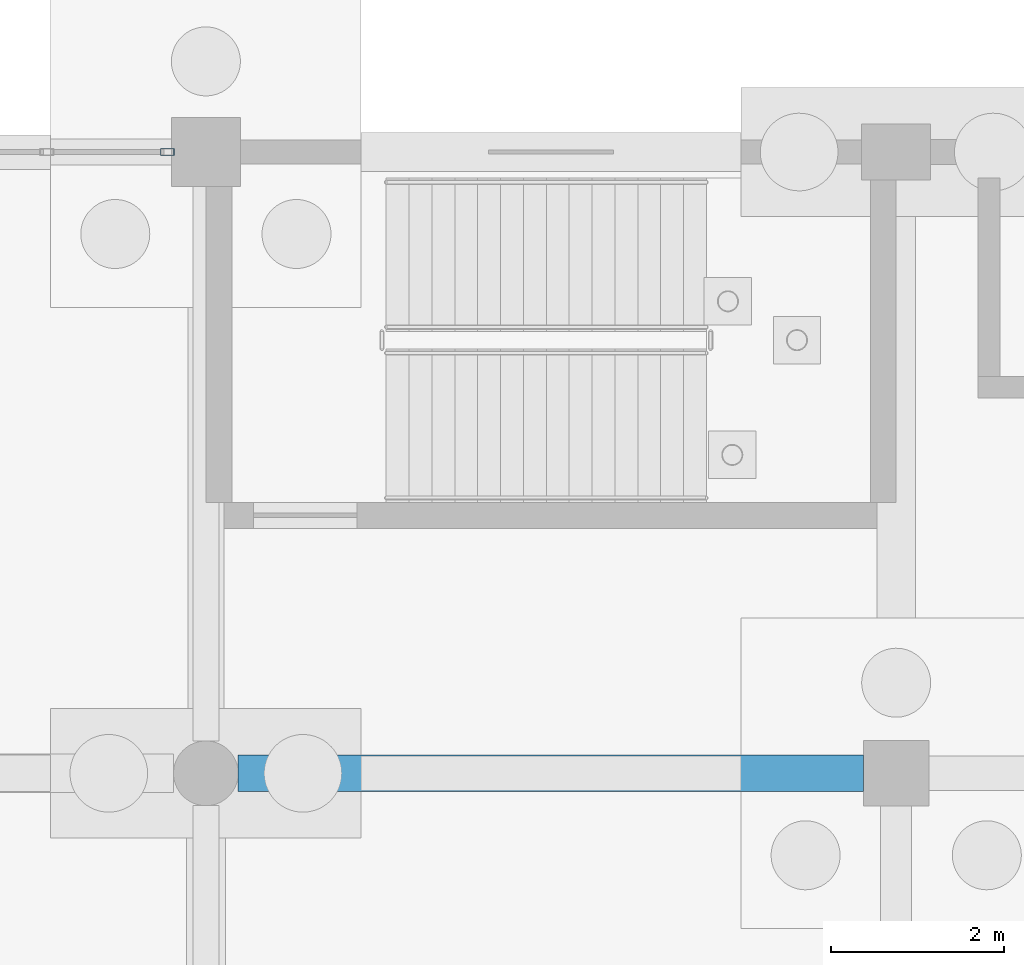
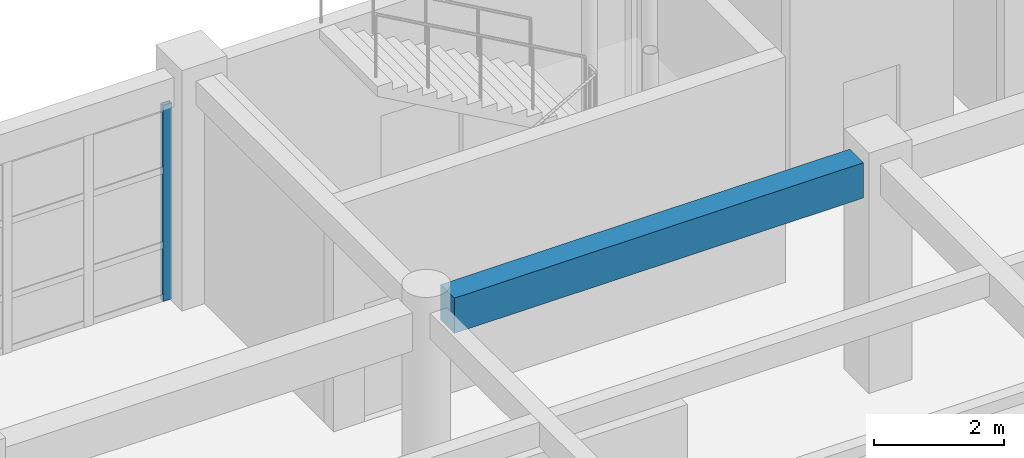
# One storey, part 65 of 166: 1 beam, 1 member, 1 element without a shape of its own.
"""IFC4 building model written with IfcOpenShell, lengths in metres."""

from ifc_helpers import new_model, si_unit, direction, frame, origin, origin_2d, place, context, subcontext, project, spatial, rectangle, hollow_rectangle, extrude, material, material_profile, profile_set, type_object, element, aggregate, save


model = new_model("IFC4")

# Units and contexts
model_context = context("Model", 3, precision=1e-05, world=origin(), true_north=direction((0.0, 1.0)))
body_context = subcontext(model_context, "Body", "Model", "MODEL_VIEW")
ifc_project = project(units=[si_unit("LENGTHUNIT", "METRE"), si_unit("AREAUNIT", "SQUARE_METRE"), si_unit("VOLUMEUNIT", "CUBIC_METRE"), si_unit("PLANEANGLEUNIT", "RADIAN"), si_unit("MASSUNIT", "GRAM", prefix="KILO")], contexts=[model_context])

# Site, building, storey
site_placement = place(None, origin())
site = spatial("IfcSite", under=ifc_project, at=site_placement, CompositionType="ELEMENT")
building_placement = place(site_placement, origin())
building = spatial("IfcBuilding", under=site, at=building_placement, Name="Kharva Crest Polytechnic", CompositionType="ELEMENT")
storey_placement = place(building_placement, origin())
storey = spatial("IfcBuildingStorey", under=building, at=storey_placement, Name="L00", CompositionType="ELEMENT", Elevation=0.0)

# Beam
ifc_material_1 = material(Name="Concrete C35/45", Category="concrete")
ifc_material_profile_1 = material_profile(ifc_material_1, rectangle(XDim=0.419921875, YDim=0.659912109375, at=origin_2d()), Name="RECT 420 X 660")
ifc_profile_set_1 = profile_set([ifc_material_profile_1], Name="Concrete C35/45")
beam_type = type_object("IfcBeamType", Name="BM-RC-420X660", PredefinedType="BEAM", material=ifc_profile_set_1)
beam_placement = place(storey_placement, frame((56.375, 114.800048828125, 3.889892578125), z_axis=(1.0, 0.0, 0.0), x_axis=(0.0, 1.0, 0.0)))
element("IfcBeam", 1, at=beam_placement, inside=storey, type_object=beam_type, Name="L00 Beam R/8-9", PredefinedType="BEAM", context=body_context, shape_type="SweptSolid", body=[
    extrude(rectangle(XDim=0.419921875, YDim=0.659912109375, at=origin_2d()), origin(), (0.0, 0.0, 1.0), 7.2451171875),
])

# Curtain wall, member
ifc_material_2 = material(Name="Tempered insulated glass", Category="glass")
curtain_wall_type = type_object("IfcCurtainWallType", Name="CW-SYS-COURT", PredefinedType="USERDEFINED", material=ifc_material_2)
curtain_wall_placement = place(storey_placement, origin())
curtain_wall = element("IfcCurtainWall", 2, at=curtain_wall_placement, inside=storey, type_object=curtain_wall_type, Name="L00 Glazed Curtain Wall CW-029", ObjectType="CURTAIN WALL", PredefinedType="USERDEFINED")
ifc_material_3 = material(Name="Steel S355", Category="steel")
ifc_material_profile_2 = material_profile(ifc_material_3, hollow_rectangle(XDim=0.080078125, YDim=0.159912109375, WallThickness=0.0048828125, at=origin_2d()), Name="RHS 160X80X5.0")
ifc_profile_set_2 = profile_set([ifc_material_profile_2], Name="Steel S355")
member_type = type_object("IfcMemberType", Name="CWM-RHS160X80", PredefinedType="MULLION", material=ifc_profile_set_2)
member_placement = place(storey_placement, frame((55.554931640625, 122.0, 0.0), z_axis=(0.0, 0.0, 1.0), x_axis=(0.0, -1.0, 0.0)))
member = element("IfcMember", 3, at=member_placement, type_object=member_type, Name="CW-029 mullion 1", PredefinedType="MULLION", context=body_context, shape_type="SweptSolid", body=[
    extrude(hollow_rectangle(XDim=0.080078125, YDim=0.159912109375, WallThickness=0.0048828125, at=origin_2d()), origin(), (0.0, 0.0, 1.0), 3.669921875),
])
aggregate(curtain_wall, [member])

save(model, "model.ifc")
